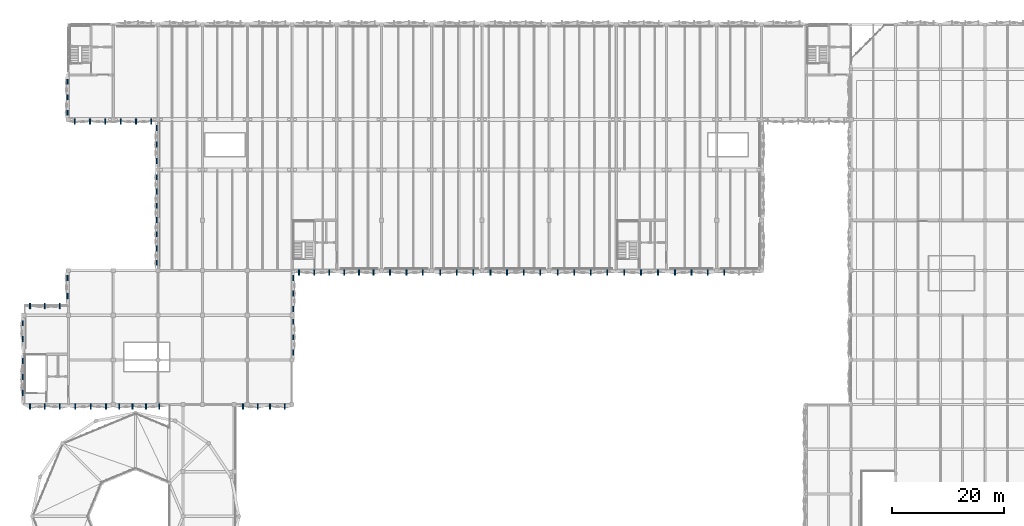
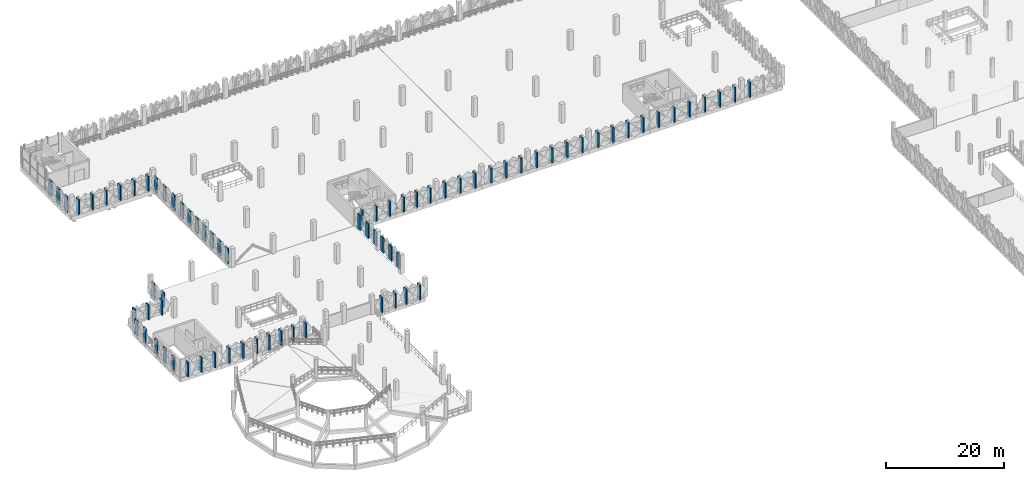
# One storey, part 47 of 83: 76 discrete accessories.
"""IFC4 building model written with IfcOpenShell, lengths in metres."""

from ifc_helpers import new_model, si_unit, derived_unit, direction, frame, origin, origin_2d, place, context, subcontext, project, spatial, rectangle, extrude, material, type_object, element, save


model = new_model("IFC4")

# Units and contexts
model_context = context("Model", 3, precision=1e-05, world=origin(), true_north=direction((0.0, 1.0)))
body_context = subcontext(model_context, "Body", "Model", "MODEL_VIEW")
ifc_project = project(units=[si_unit("LENGTHUNIT", "METRE"), si_unit("AREAUNIT", "SQUARE_METRE"), si_unit("VOLUMEUNIT", "CUBIC_METRE"), si_unit("PLANEANGLEUNIT", "RADIAN"), si_unit("MASSUNIT", "GRAM", prefix="KILO"), si_unit("THERMODYNAMICTEMPERATUREUNIT", "KELVIN"), derived_unit("THERMALTRANSMITTANCEUNIT", [(si_unit("POWERUNIT", "WATT"), 1), (si_unit("AREAUNIT", "SQUARE_METRE"), -1), (si_unit("THERMODYNAMICTEMPERATUREUNIT", "KELVIN"), -1)])], contexts=[model_context])

# Site, building, storey
site_placement = place(None, origin())
site = spatial("IfcSite", under=ifc_project, at=site_placement, CompositionType="ELEMENT")
building_placement = place(site_placement, origin())
building = spatial("IfcBuilding", under=site, at=building_placement, Name="Haiyu Intermodal Mobility Hub", CompositionType="ELEMENT")
storey_placement = place(building_placement, frame((0.0, 0.0, 13.39990234375)))
storey = spatial("IfcBuildingStorey", under=building, at=storey_placement, Name="L03", CompositionType="ELEMENT", Elevation=13.39990234375)

# Discrete accessories
ifc_material = material(Name="Steel Q355C", Category="steel")
discrete_accessory_type = type_object("IfcDiscreteAccessoryType", Name="ACC-BK02", PredefinedType="BRACKET", material=ifc_material)
for number, where, z_axis, x_axis, name in (
    (1, (37.800048828125, 120.68603515625, 0.050048828125), (0.0, 0.0, 1.0), (1.0, 0.0, 0.0), "BRK-PYR-0561"),
    (2, (37.800048828125, 118.136962890625, 0.050048828125), (0.0, 0.0, 1.0), (1.0, 0.0, 0.0), "BRK-PYR-0564"),
    (3, (37.800048828125, 115.589111328125, 0.050048828125), (0.0, 0.0, 1.0), (1.0, 0.0, 0.0), "BRK-PYR-0567"),
    (4, (37.800048828125, 113.0400390625, 0.050048828125), (0.0, 0.0, 1.0), (1.0, 0.0, 0.0), "BRK-PYR-0570"),
    (5, (37.800048828125, 110.490966796875, 0.050048828125), (0.0, 0.0, 1.0), (1.0, 0.0, 0.0), "BRK-PYR-0573"),
    (6, (37.800048828125, 107.943115234375, 0.050048828125), (0.0, 0.0, 1.0), (1.0, 0.0, 0.0), "BRK-PYR-0576"),
    (7, (37.800048828125, 105.39404296875, 0.050048828125), (0.0, 0.0, 1.0), (1.0, 0.0, 0.0), "BRK-PYR-0577"),
    (8, (37.800048828125, 129.487060546875, 0.050048828125), (0.0, 0.0, 1.0), (1.0, 0.0, 0.0), "BRK-PYR-0632"),
    (9, (37.800048828125, 126.5400390625, 0.050048828125), (0.0, 0.0, 1.0), (1.0, 0.0, 0.0), "BRK-PYR-0635"),
    (10, (37.800048828125, 123.593017578125, 0.050048828125), (0.0, 0.0, 1.0), (1.0, 0.0, 0.0), "BRK-PYR-0636"),
    (11, (13.800048828125, 94.550048828125, 0.050048828125), (0.0, 0.0, 1.0), (1.0, 0.0, 0.0), "BRK-PYR-0661"),
    (12, (13.800048828125, 91.72998046875, 0.050048828125), (0.0, 0.0, 1.0), (1.0, 0.0, 0.0), "BRK-PYR-0662"),
    (13, (71.346923828125, 103.659912109375, 0.050048828125), (0.0, 0.0, 1.0), (1.0, 0.0, 0.0), "BRK-PYR-0763"),
    (14, (73.9599609375, 103.659912109375, 0.050048828125), (0.0, 0.0, 1.0), (1.0, 0.0, 0.0), "BRK-PYR-0766"),
    (15, (76.572998046875, 103.659912109375, 0.050048828125), (0.0, 0.0, 1.0), (1.0, 0.0, 0.0), "BRK-PYR-0767"),
    (16, (79.512939453125, 103.659912109375, 0.050048828125), (0.0, 0.0, 1.0), (1.0, 0.0, 0.0), "BRK-PYR-0798"),
    (17, (82.4599609375, 103.659912109375, 0.050048828125), (0.0, 0.0, 1.0), (1.0, 0.0, 0.0), "BRK-PYR-0801"),
    (18, (85.406982421875, 103.659912109375, 0.050048828125), (0.0, 0.0, 1.0), (1.0, 0.0, 0.0), "BRK-PYR-0802"),
    (19, (88.512939453125, 103.659912109375, 0.050048828125), (0.0, 0.0, 1.0), (1.0, 0.0, 0.0), "BRK-PYR-0826"),
    (20, (91.4599609375, 103.659912109375, 0.050048828125), (0.0, 0.0, 1.0), (1.0, 0.0, 0.0), "BRK-PYR-0829"),
    (21, (94.406982421875, 103.659912109375, 0.050048828125), (0.0, 0.0, 1.0), (1.0, 0.0, 0.0), "BRK-PYR-0830"),
    (22, (97.52001953125, 103.659912109375, 0.050048828125), (0.0, 0.0, 1.0), (1.0, 0.0, 0.0), "BRK-PYR-0867"),
    (23, (100.47998046875, 103.659912109375, 0.050048828125), (0.0, 0.0, 1.0), (1.0, 0.0, 0.0), "BRK-PYR-0870"),
    (24, (103.43994140625, 103.659912109375, 0.050048828125), (0.0, 0.0, 1.0), (1.0, 0.0, 0.0), "BRK-PYR-0873"),
    (25, (106.39990234375, 103.659912109375, 0.050048828125), (0.0, 0.0, 1.0), (1.0, 0.0, 0.0), "BRK-PYR-0874"),
    (26, (109.52001953125, 103.659912109375, 0.050048828125), (0.0, 0.0, 1.0), (1.0, 0.0, 0.0), "BRK-PYR-0917"),
    (27, (112.47998046875, 103.659912109375, 0.050048828125), (0.0, 0.0, 1.0), (1.0, 0.0, 0.0), "BRK-PYR-0920"),
    (28, (115.43994140625, 103.659912109375, 0.050048828125), (0.0, 0.0, 1.0), (1.0, 0.0, 0.0), "BRK-PYR-0923"),
    (29, (118.39990234375, 103.659912109375, 0.050048828125), (0.0, 0.0, 1.0), (1.0, 0.0, 0.0), "BRK-PYR-0924"),
    (30, (130.512939453125, 103.659912109375, 0.050048828125), (0.0, 0.0, 1.0), (1.0, 0.0, 0.0), "BRK-PYR-0961"),
    (31, (133.4599609375, 103.659912109375, 0.050048828125), (0.0, 0.0, 1.0), (1.0, 0.0, 0.0), "BRK-PYR-0964"),
    (32, (136.406982421875, 103.659912109375, 0.050048828125), (0.0, 0.0, 1.0), (1.0, 0.0, 0.0), "BRK-PYR-0965"),
    (33, (139.346923828125, 103.659912109375, 0.050048828125), (0.0, 0.0, 1.0), (1.0, 0.0, 0.0), "BRK-PYR-0996"),
    (34, (13.800048828125, 87.806884765625, 0.050048828125), (0.0, 0.0, 1.0), (1.0, 0.0, 0.0), "BRK-PYR-1446"),
    (35, (13.800048828125, 84.93994140625, 0.050048828125), (0.0, 0.0, 1.0), (1.0, 0.0, 0.0), "BRK-PYR-1449"),
    (36, (13.800048828125, 82.072998046875, 0.050048828125), (0.0, 0.0, 1.0), (1.0, 0.0, 0.0), "BRK-PYR-1450"),
    (37, (15.093017578125, 79.659912109375, 0.050048828125), (0.0, 0.0, 1.0), (1.0, 0.0, 0.0), "BRK-PYR-1453"),
    (38, (17.760009765625, 79.659912109375, 0.050048828125), (0.0, 0.0, 1.0), (1.0, 0.0, 0.0), "BRK-PYR-1456"),
    (39, (20.427001953125, 79.659912109375, 0.050048828125), (0.0, 0.0, 1.0), (1.0, 0.0, 0.0), "BRK-PYR-1457"),
    (40, (62.199951171875, 89.29296875, 0.050048828125), (0.0, 0.0, 1.0), (1.0, 0.0, 0.0), "BRK-PYR-2065"),
    (41, (62.199951171875, 92.06005859375, 0.050048828125), (0.0, 0.0, 1.0), (1.0, 0.0, 0.0), "BRK-PYR-2068"),
    (42, (62.199951171875, 94.826904296875, 0.050048828125), (0.0, 0.0, 1.0), (1.0, 0.0, 0.0), "BRK-PYR-2069"),
    (43, (62.199951171875, 97.093017578125, 0.050048828125), (0.0, 0.0, 1.0), (1.0, 0.0, 0.0), "BRK-PYR-2072"),
    (44, (62.199951171875, 99.860107421875, 0.050048828125), (0.0, 0.0, 1.0), (1.0, 0.0, 0.0), "BRK-PYR-2075"),
    (45, (62.199951171875, 102.626953125, 0.050048828125), (0.0, 0.0, 1.0), (1.0, 0.0, 0.0), "BRK-PYR-2076"),
    (46, (53.235107421875, 79.659912109375, 0.050048828125), (0.0, 0.0, 1.0), (1.0, 0.0, 0.0), "BRK-PYR-2079"),
    (47, (55.885009765625, 79.659912109375, 0.050048828125), (0.0, 0.0, 1.0), (1.0, 0.0, 0.0), "BRK-PYR-2080"),
    (48, (58.034912109375, 79.659912109375, 0.050048828125), (0.0, 0.0, 1.0), (1.0, 0.0, 0.0), "BRK-PYR-2083"),
    (49, (60.68505859375, 79.659912109375, 0.050048828125), (0.0, 0.0, 1.0), (1.0, 0.0, 0.0), "BRK-PYR-2084"),
    (50, (63.260009765625, 103.659912109375, 0.050048828125), (0.0, 0.0, 1.0), (1.0, 0.0, 0.0), "BRK-PYR-2220"),
    (51, (65.9599609375, 103.659912109375, 0.050048828125), (0.0, 0.0, 1.0), (1.0, 0.0, 0.0), "BRK-PYR-2223"),
    (52, (68.659912109375, 103.659912109375, 0.050048828125), (0.0, 0.0, 1.0), (1.0, 0.0, 0.0), "BRK-PYR-2224"),
    (53, (121.427001953125, 103.659912109375, 0.050048828125), (0.0, 0.0, 1.0), (1.0, 0.0, 0.0), "BRK-PYR-2227"),
    (54, (124.4599609375, 103.659912109375, 0.050048828125), (0.0, 0.0, 1.0), (1.0, 0.0, 0.0), "BRK-PYR-2230"),
    (55, (127.492919921875, 103.659912109375, 0.050048828125), (0.0, 0.0, 1.0), (1.0, 0.0, 0.0), "BRK-PYR-2231"),
    (56, (21.800048828125, 137.757080078125, 0.050048828125), (0.0, 0.0, 1.0), (1.0, 0.0, 0.0), "BRK-PYR-2304"),
    (57, (21.800048828125, 134.989990234375, 0.050048828125), (0.0, 0.0, 1.0), (1.0, 0.0, 0.0), "BRK-PYR-2307"),
    (58, (21.800048828125, 132.222900390625, 0.050048828125), (0.0, 0.0, 1.0), (1.0, 0.0, 0.0), "BRK-PYR-2308"),
    (59, (23.126953125, 130.659912109375, 0.050048828125), (0.0, 0.0, 1.0), (1.0, 0.0, 0.0), "BRK-PYR-2357"),
    (60, (25.860107421875, 130.659912109375, 0.050048828125), (0.0, 0.0, 1.0), (1.0, 0.0, 0.0), "BRK-PYR-2360"),
    (61, (28.593017578125, 130.659912109375, 0.050048828125), (0.0, 0.0, 1.0), (1.0, 0.0, 0.0), "BRK-PYR-2363"),
    (62, (31.326904296875, 130.659912109375, 0.050048828125), (0.0, 0.0, 1.0), (1.0, 0.0, 0.0), "BRK-PYR-2366"),
    (63, (34.06005859375, 130.659912109375, 0.050048828125), (0.0, 0.0, 1.0), (1.0, 0.0, 0.0), "BRK-PYR-2369"),
    (64, (36.79296875, 130.659912109375, 0.050048828125), (0.0, 0.0, 1.0), (1.0, 0.0, 0.0), "BRK-PYR-2370"),
    (65, (15.093017578125, 97.659912109375, 0.050048828125), (0.0, 0.0, 1.0), (1.0, 0.0, 0.0), "BRK-PYR-2509"),
    (66, (17.760009765625, 97.659912109375, 0.050048828125), (0.0, 0.0, 1.0), (1.0, 0.0, 0.0), "BRK-PYR-2512"),
    (67, (20.427001953125, 97.659912109375, 0.050048828125), (0.0, 0.0, 1.0), (1.0, 0.0, 0.0), "BRK-PYR-2513"),
    (68, (21.800048828125, 102.639892578125, 0.050048828125), (0.0, 0.0, 1.0), (1.0, 0.0, 0.0), "BRK-PYR-2516"),
    (69, (21.800048828125, 99.43994140625, 0.050048828125), (0.0, 0.0, 1.0), (1.0, 0.0, 0.0), "BRK-PYR-2517"),
    (70, (23.22705078125, 79.659912109375, 0.050048828125), (0.0, 0.0, 1.0), (1.0, 0.0, 0.0), "BRK-PYR-2520"),
    (71, (25.9599609375, 79.659912109375, 0.050048828125), (0.0, 0.0, 1.0), (1.0, 0.0, 0.0), "BRK-PYR-2523"),
    (72, (28.693115234375, 79.659912109375, 0.050048828125), (0.0, 0.0, 1.0), (1.0, 0.0, 0.0), "BRK-PYR-2524"),
    (73, (31.06005859375, 79.659912109375, 0.050048828125), (0.0, 0.0, 1.0), (1.0, 0.0, 0.0), "BRK-PYR-2527"),
    (74, (33.4599609375, 79.659912109375, 0.050048828125), (0.0, 0.0, 1.0), (1.0, 0.0, 0.0), "BRK-PYR-2530"),
    (75, (35.860107421875, 79.659912109375, 0.050048828125), (0.0, 0.0, 1.0), (1.0, 0.0, 0.0), "BRK-PYR-2533"),
    (76, (38.260009765625, 79.659912109375, 0.050048828125), (0.0, 0.0, 1.0), (1.0, 0.0, 0.0), "BRK-PYR-2534"),
):
    element("IfcDiscreteAccessory", number, at=place(storey_placement, frame(where, z_axis=z_axis, x_axis=x_axis)), inside=storey, type_object=discrete_accessory_type, Name=name, PredefinedType="BRACKET", context=body_context, shape_type="SweptSolid", body=[
        extrude(rectangle(XDim=0.219970703125, YDim=0.949951171875, at=origin_2d()), origin(), (0.0, 0.0, 1.0), 3.10009765625),
    ])

save(model, "model.ifc")
